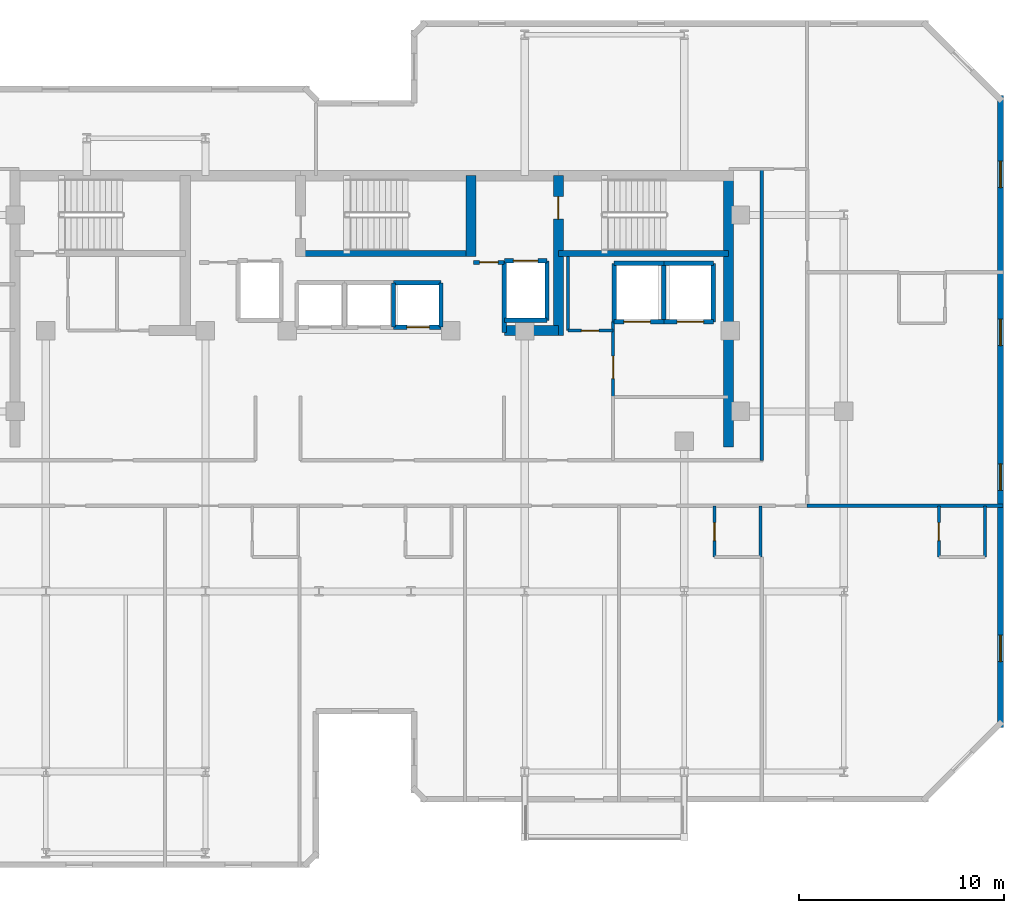
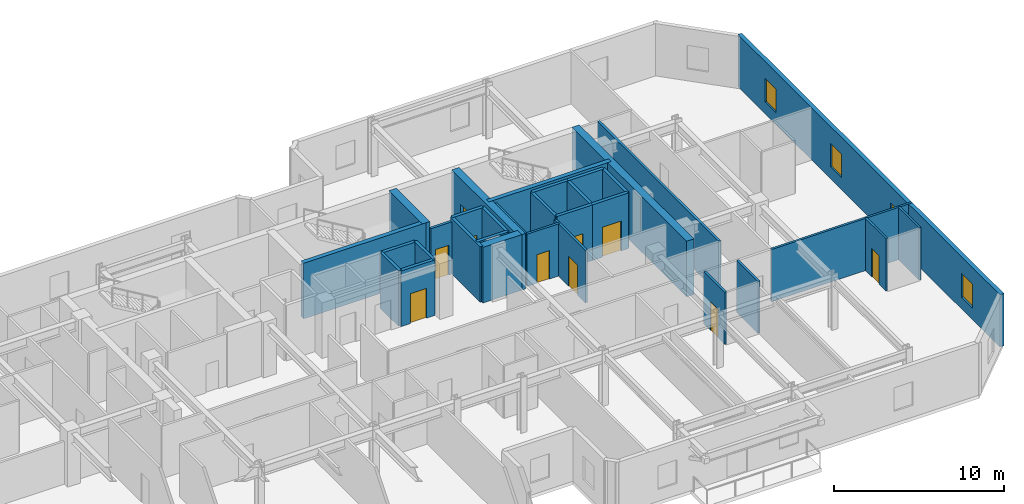
# One storey, part 6 of 11: 32 walls, 10 doors, 4 windows, 14 openings.
"""IFC4 building model written with IfcOpenShell, lengths in metres."""

from ifc_helpers import new_model, si_unit, direction, frame, frame_2d, origin, place, context, subcontext, project, spatial, rectangle, extrude, material, layer, layer_set, type_object, element, fill, save


model = new_model("IFC4")

# Units and contexts
model_context = context("Model", 3, precision=1e-05, world=origin(), true_north=direction((0.0, 1.0)))
body_context = subcontext(model_context, "Body", "Model", "MODEL_VIEW")
ifc_project = project(units=[si_unit("LENGTHUNIT", "METRE"), si_unit("AREAUNIT", "SQUARE_METRE"), si_unit("VOLUMEUNIT", "CUBIC_METRE"), si_unit("PLANEANGLEUNIT", "RADIAN"), si_unit("MASSUNIT", "GRAM", prefix="KILO")], contexts=[model_context])

# Site, building, storey
site_placement = place(None, origin())
site = spatial("IfcSite", under=ifc_project, at=site_placement, CompositionType="ELEMENT")
building_placement = place(site_placement, origin())
building = spatial("IfcBuilding", under=site, at=building_placement, Name="Kestravale Grand Hotel", CompositionType="ELEMENT")
storey_placement = place(building_placement, frame((0.0, 0.0, 265.39990234375)))
storey = spatial("IfcBuildingStorey", under=building, at=storey_placement, Name="L66", CompositionType="ELEMENT", Elevation=265.39990234375)

# Walls
ifc_material_1 = material(Name="Concrete f'c 50 MPa", Category="concrete")
ifc_layer_1 = layer(ifc_material_1, 0.5)
ifc_layer_set_1 = layer_set([ifc_layer_1], Name="EW-CORE-500")
wall_type_1 = type_object("IfcWallType", Name="EW-CORE-500", PredefinedType="SHEAR", material=ifc_layer_set_1)
wall_1_placement = place(storey_placement, frame((56.77001953125, 27.050048828125, 0.0), z_axis=(0.0, 0.0, 1.0), x_axis=(0.0, 1.0, 0.0)))
element("IfcWall", 1, at=wall_1_placement, inside=storey, type_object=wall_type_1, Name="L66 core shear wall E1", PredefinedType="SHEAR", context=body_context, shape_type="SweptSolid", body=[
    extrude(rectangle(XDim=13.52001953125, YDim=0.5, at=frame_2d((6.760009765625, 0.0))), origin(), (0.0, 0.0, 1.0), 4.0),
])
wall_2_placement = place(storey_placement, frame((45.81005859375, 32.75, 0.0), z_axis=(0.0, 0.0, 1.0), x_axis=(1.0, 0.0, 0.0)))
element("IfcWall", 2, at=wall_2_placement, inside=storey, type_object=wall_type_1, Name="L66 core shear wall S2", PredefinedType="SHEAR", context=body_context, shape_type="SweptSolid", body=[
    extrude(rectangle(XDim=2.639892578125, YDim=0.5, at=frame_2d((1.31982421875, 0.0))), origin(), (0.0, 0.0, 1.0), 4.0),
])
wall_3_placement = place(storey_placement, frame((44.179931640625, 36.3701171875, 0.0), z_axis=(0.0, 0.0, 1.0), x_axis=(0.0, 1.0, 0.0)))
element("IfcWall", 3, at=wall_3_placement, inside=storey, type_object=wall_type_1, Name="L66 core shear wall X3", PredefinedType="SHEAR", context=body_context, shape_type="SweptSolid", body=[
    extrude(rectangle(XDim=3.949951171875, YDim=0.5, at=frame_2d((1.97509765625, 0.0))), origin(), (0.0, 0.0, 1.0), 4.0),
])

# Wall, opening, door
wall_4_placement = place(storey_placement, frame((48.449951171875, 32.5, 0.0), z_axis=(0.0, 0.0, 1.0), x_axis=(0.0, 1.0, 0.0)))
wall_4 = element("IfcWall", 4, at=wall_4_placement, inside=storey, type_object=wall_type_1, Name="L66 core shear wall X4", PredefinedType="SHEAR", context=body_context, shape_type="SweptSolid", body=[
    extrude(rectangle(XDim=7.820068359375, YDim=0.5, at=frame_2d((3.91015625, 0.0))), origin(), (0.0, 0.0, 1.0), 4.0),
])
opening_1_placement = place(wall_4_placement, frame((5.699951171875, 0.0, 0.0)))
opening_1 = element("IfcOpeningElement", 5, at=opening_1_placement, cuts=wall_4, Name="Opening D-ST-1100", PredefinedType="OPENING", context=body_context, shape_type="SweptSolid", body=[
    extrude(rectangle(XDim=1.10009765625, YDim=2.14990234375, at=frame_2d((0.550048828125, 1.074951171875))), frame((0.0, 0.260009765625, 0.0), z_axis=(0.0, -1.0, 0.0), x_axis=(1.0, 0.0, 0.0)), (0.0, 0.0, 1.0), 0.52001953125),
])
ifc_material_2 = material(Name="Galvanised 90-minute fire-rated steel stair door", Category="steel")
door_type_1 = type_object("IfcDoorType", Name="D-ST-1100", OperationType="NOTDEFINED", PredefinedType="DOOR", material=ifc_material_2)
door_1_placement = place(opening_1_placement, origin())
door_1 = element("IfcDoor", 6, at=door_1_placement, inside=storey, type_object=door_type_1, Name="L66 Stair ST-3 FSAE fire door", OperationType="SINGLE_SWING_RIGHT", OverallHeight=2.14990234375, OverallWidth=1.10009765625, PredefinedType="DOOR", context=body_context, shape_type="SweptSolid", body=[
    extrude(rectangle(XDim=1.10009765625, YDim=2.14990234375, at=frame_2d((0.550048828125, 1.074951171875))), frame((0.0, 0.02490234375, 0.0), z_axis=(0.0, -1.0, 0.0), x_axis=(1.0, 0.0, 0.0)), (0.0, 0.0, 1.0), 0.050048828125),
])
fill(opening_1, door_1)

# Wall, openings, windows
ifc_material_3 = material(Name="Precast concrete f'c 45 MPa", Category="concrete")
ifc_layer_2 = layer(ifc_material_3, 0.280029296875)
ifc_layer_set_2 = layer_set([ifc_layer_2], Name="EW-PREC-280")
wall_type_2 = type_object("IfcWallType", Name="EW-PREC-280", PredefinedType="SOLIDWALL", material=ifc_layer_set_2)
wall_5_placement = place(storey_placement, frame((70.06005859375, 13.360107421875, 0.0), z_axis=(0.0, 0.0, 1.0), x_axis=(0.0, 1.0, 0.0)))
wall_5 = element("IfcWall", 7, at=wall_5_placement, inside=storey, type_object=wall_type_2, Name="L66 fluted precast facade wall 9", PredefinedType="SOLIDWALL", context=body_context, shape_type="SweptSolid", body=[
    extrude(rectangle(XDim=30.8798828125, YDim=0.280029296875, at=frame_2d((15.43994140625, 0.0))), origin(), (0.0, 0.0, 1.0), 3.760009765625),
])
opening_2_placement = place(wall_5_placement, frame((3.2099609375, 0.0, 0.85009765625)))
opening_2 = element("IfcOpeningElement", 8, at=opening_2_placement, cuts=wall_5, Name="Opening W-GUEST-1300", PredefinedType="OPENING", context=body_context, shape_type="SweptSolid", body=[
    extrude(rectangle(XDim=1.300048828125, YDim=1.699951171875, at=frame_2d((0.64990234375, 0.85009765625))), frame((0.0, 0.14990234375, 0.0), z_axis=(0.0, -1.0, 0.0), x_axis=(1.0, 0.0, 0.0)), (0.0, 0.0, 1.0), 0.300048828125),
])
opening_3_placement = place(wall_5_placement, frame((11.580078125, 0.0, 0.85009765625)))
opening_3 = element("IfcOpeningElement", 9, at=opening_3_placement, cuts=wall_5, Name="Opening W-GUEST-1300", PredefinedType="OPENING", context=body_context, shape_type="SweptSolid", body=[
    extrude(rectangle(XDim=1.300048828125, YDim=1.699951171875, at=frame_2d((0.64990234375, 0.85009765625))), frame((0.0, 0.14990234375, 0.0), z_axis=(0.0, -1.0, 0.0), x_axis=(1.0, 0.0, 0.0)), (0.0, 0.0, 1.0), 0.300048828125),
])
opening_4_placement = place(wall_5_placement, frame((18.64990234375, 0.0, 0.85009765625)))
opening_4 = element("IfcOpeningElement", 10, at=opening_4_placement, cuts=wall_5, Name="Opening W-GUEST-1300", PredefinedType="OPENING", context=body_context, shape_type="SweptSolid", body=[
    extrude(rectangle(XDim=1.300048828125, YDim=1.699951171875, at=frame_2d((0.64990234375, 0.85009765625))), frame((0.0, 0.14990234375, 0.0), z_axis=(0.0, -1.0, 0.0), x_axis=(1.0, 0.0, 0.0)), (0.0, 0.0, 1.0), 0.300048828125),
])
opening_5_placement = place(wall_5_placement, frame((26.3701171875, 0.0, 0.85009765625)))
opening_5 = element("IfcOpeningElement", 11, at=opening_5_placement, cuts=wall_5, Name="Opening W-GUEST-1300", PredefinedType="OPENING", context=body_context, shape_type="SweptSolid", body=[
    extrude(rectangle(XDim=1.300048828125, YDim=1.699951171875, at=frame_2d((0.64990234375, 0.85009765625))), frame((0.0, 0.14990234375, 0.0), z_axis=(0.0, -1.0, 0.0), x_axis=(1.0, 0.0, 0.0)), (0.0, 0.0, 1.0), 0.300048828125),
])
ifc_material_4 = material(Name="Insulated low-E double glazing in aluminium frame", Category="aluminium")
window_type = type_object("IfcWindowType", Name="W-GUEST-1300", PartitioningType="SINGLE_PANEL", PredefinedType="WINDOW", material=ifc_material_4)
window_1_placement = place(opening_2_placement, origin())
window_1 = element("IfcWindow", 12, at=window_1_placement, inside=storey, type_object=window_type, Name="L66 exterior window 9.1", OverallHeight=1.699951171875, OverallWidth=1.300048828125, PartitioningType="SINGLE_PANEL", PredefinedType="WINDOW", context=body_context, shape_type="SweptSolid", body=[
    extrude(rectangle(XDim=1.300048828125, YDim=1.699951171875, at=frame_2d((0.64990234375, 0.85009765625))), frame((0.0, 0.030029296875, 0.0), z_axis=(0.0, -1.0, 0.0), x_axis=(1.0, 0.0, 0.0)), (0.0, 0.0, 1.0), 0.06005859375),
])
fill(opening_2, window_1)
window_2_placement = place(opening_3_placement, origin())
window_2 = element("IfcWindow", 13, at=window_2_placement, inside=storey, type_object=window_type, Name="L66 exterior window 9.2", OverallHeight=1.699951171875, OverallWidth=1.300048828125, PartitioningType="SINGLE_PANEL", PredefinedType="WINDOW", context=body_context, shape_type="SweptSolid", body=[
    extrude(rectangle(XDim=1.300048828125, YDim=1.699951171875, at=frame_2d((0.64990234375, 0.85009765625))), frame((0.0, 0.030029296875, 0.0), z_axis=(0.0, -1.0, 0.0), x_axis=(1.0, 0.0, 0.0)), (0.0, 0.0, 1.0), 0.06005859375),
])
fill(opening_3, window_2)
window_3_placement = place(opening_4_placement, origin())
window_3 = element("IfcWindow", 14, at=window_3_placement, inside=storey, type_object=window_type, Name="L66 exterior window 9.3", OverallHeight=1.699951171875, OverallWidth=1.300048828125, PartitioningType="SINGLE_PANEL", PredefinedType="WINDOW", context=body_context, shape_type="SweptSolid", body=[
    extrude(rectangle(XDim=1.300048828125, YDim=1.699951171875, at=frame_2d((0.64990234375, 0.85009765625))), frame((0.0, 0.030029296875, 0.0), z_axis=(0.0, -1.0, 0.0), x_axis=(1.0, 0.0, 0.0)), (0.0, 0.0, 1.0), 0.06005859375),
])
fill(opening_4, window_3)
window_4_placement = place(opening_5_placement, origin())
window_4 = element("IfcWindow", 15, at=window_4_placement, inside=storey, type_object=window_type, Name="L66 exterior window 9.4", OverallHeight=1.699951171875, OverallWidth=1.300048828125, PartitioningType="SINGLE_PANEL", PredefinedType="WINDOW", context=body_context, shape_type="SweptSolid", body=[
    extrude(rectangle(XDim=1.300048828125, YDim=1.699951171875, at=frame_2d((0.64990234375, 0.85009765625))), frame((0.0, 0.030029296875, 0.0), z_axis=(0.0, -1.0, 0.0), x_axis=(1.0, 0.0, 0.0)), (0.0, 0.0, 1.0), 0.06005859375),
])
fill(opening_5, window_4)

# Walls
ifc_material_5 = material(Name="Concrete f'c 45 MPa", Category="concrete")
ifc_layer_3 = layer(ifc_material_5, 0.300048828125)
ifc_layer_set_3 = layer_set([ifc_layer_3], Name="EW-STAIR-300")
wall_type_3 = type_object("IfcWallType", Name="EW-STAIR-300", PredefinedType="SHEAR", material=ifc_layer_set_3)
wall_6_placement = place(storey_placement, frame((35.85009765625, 36.52001953125, 0.0), z_axis=(0.0, 0.0, 1.0), x_axis=(1.0, 0.0, 0.0)))
element("IfcWall", 16, at=wall_6_placement, inside=storey, type_object=wall_type_3, Name="L66 stair enclosure shear wall SST2", PredefinedType="SHEAR", context=body_context, shape_type="SweptSolid", body=[
    extrude(rectangle(XDim=8.329833984375, YDim=0.300048828125, at=frame_2d((4.1650390625, 0.0))), origin(), (0.0, 0.0, 1.0), 4.0),
])
wall_7_placement = place(storey_placement, frame((48.449951171875, 36.52001953125, 0.0), z_axis=(0.0, 0.0, 1.0), x_axis=(1.0, 0.0, 0.0)))
element("IfcWall", 17, at=wall_7_placement, inside=storey, type_object=wall_type_3, Name="L66 stair enclosure shear wall SST3", PredefinedType="SHEAR", context=body_context, shape_type="SweptSolid", body=[
    extrude(rectangle(XDim=8.320068359375, YDim=0.300048828125, at=frame_2d((4.16015625, 0.0))), origin(), (0.0, 0.0, 1.0), 4.0),
])

# Wall, opening, door
ifc_material_6 = material(Name="Acoustic fire-rated gypsum board partition", Category="other")
ifc_layer_4 = layer(ifc_material_6, 0.159912109375)
ifc_layer_set_4 = layer_set([ifc_layer_4], Name="IW-CORR-160")
wall_type_4 = type_object("IfcWallType", Name="IW-CORR-160", PredefinedType="PARTITIONING", material=ifc_layer_set_4)
wall_8_placement = place(storey_placement, frame((51.1201171875, 29.5, 0.0), z_axis=(0.0, 0.0, 1.0), x_axis=(0.0, 1.0, 0.0)))
wall_8 = element("IfcWall", 18, at=wall_8_placement, inside=storey, type_object=wall_type_4, Name="W-L66-SVCLOB-W", PredefinedType="PARTITIONING", context=body_context, shape_type="SweptSolid", body=[
    extrude(rectangle(XDim=3.699951171875, YDim=0.159912109375, at=frame_2d((1.85009765625, 0.0))), origin(), (0.0, 0.0, 1.0), 3.760009765625),
])
opening_6_placement = place(wall_8_placement, frame((0.89990234375, 0.0, 0.0)))
opening_6 = element("IfcOpeningElement", 19, at=opening_6_placement, cuts=wall_8, Name="Opening D-CORR-1100", PredefinedType="OPENING", context=body_context, shape_type="SweptSolid", body=[
    extrude(rectangle(XDim=1.10009765625, YDim=2.14990234375, at=frame_2d((0.550048828125, 1.074951171875))), frame((0.0, 0.08984375, 0.0), z_axis=(0.0, -1.0, 0.0), x_axis=(1.0, 0.0, 0.0)), (0.0, 0.0, 1.0), 0.179931640625),
])
ifc_material_7 = material(Name="Single-leaf service vestibule fire door", Category="steel")
door_type_2 = type_object("IfcDoorType", Name="D-CORR-1100", OperationType="NOTDEFINED", PredefinedType="DOOR", material=ifc_material_7)
door_2_placement = place(opening_6_placement, origin())
door_2 = element("IfcDoor", 20, at=door_2_placement, inside=storey, type_object=door_type_2, Name="L66 service lift lobby door", OperationType="SINGLE_SWING_LEFT", OverallHeight=2.14990234375, OverallWidth=1.10009765625, PredefinedType="DOOR", context=body_context, shape_type="SweptSolid", body=[
    extrude(rectangle(XDim=1.10009765625, YDim=2.14990234375, at=frame_2d((0.550048828125, 1.074951171875))), frame((0.0, 0.02490234375, 0.0), z_axis=(0.0, -1.0, 0.0), x_axis=(1.0, 0.0, 0.0)), (0.0, 0.0, 1.0), 0.050048828125),
])
fill(opening_6, door_2)

wall_9_placement = place(storey_placement, frame((48.919921875, 32.75, 0.0), z_axis=(0.0, 0.0, 1.0), x_axis=(1.0, 0.0, 0.0)))
wall_9 = element("IfcWall", 21, at=wall_9_placement, inside=storey, type_object=wall_type_4, Name="W-L66-CES", PredefinedType="PARTITIONING", context=body_context, shape_type="SweptSolid", body=[
    extrude(rectangle(XDim=2.2001953125, YDim=0.159912109375, at=frame_2d((1.10009765625, 0.0))), origin(), (0.0, 0.0, 1.0), 3.760009765625),
])
opening_7_placement = place(wall_9_placement, frame((0.64990234375, 0.0, 0.0)))
opening_7 = element("IfcOpeningElement", 22, at=opening_7_placement, cuts=wall_9, Name="Opening D-SH-860", PredefinedType="OPENING", context=body_context, shape_type="SweptSolid", body=[
    extrude(rectangle(XDim=0.860107421875, YDim=2.050048828125, at=frame_2d((0.43017578125, 1.02490234375))), frame((0.0, 0.08984375, 0.0), z_axis=(0.0, -1.0, 0.0), x_axis=(1.0, 0.0, 0.0)), (0.0, 0.0, 1.0), 0.179931640625),
])
ifc_material_8 = material(Name="Galvanised 90-minute riser fire door", Category="steel")
door_type_3 = type_object("IfcDoorType", Name="D-SH-860", OperationType="NOTDEFINED", PredefinedType="DOOR", material=ifc_material_8)
door_3_placement = place(opening_7_placement, origin())
door_3 = element("IfcDoor", 23, at=door_3_placement, inside=storey, type_object=door_type_3, Name="L66 CSTO1 door", OperationType="SINGLE_SWING_RIGHT", OverallHeight=2.050048828125, OverallWidth=0.860107421875, PredefinedType="DOOR", context=body_context, shape_type="SweptSolid", body=[
    extrude(rectangle(XDim=0.860107421875, YDim=2.050048828125, at=frame_2d((0.43017578125, 1.02490234375))), frame((0.0, 0.02490234375, 0.0), z_axis=(0.0, -1.0, 0.0), x_axis=(1.0, 0.0, 0.0)), (0.0, 0.0, 1.0), 0.050048828125),
])
fill(opening_7, door_3)

# Wall
wall_10_placement = place(storey_placement, frame((58.389892578125, 26.409912109375, 0.0), z_axis=(0.0, 0.0, 1.0), x_axis=(0.0, 1.0, 0.0)))
element("IfcWall", 24, at=wall_10_placement, inside=storey, type_object=wall_type_4, Name="W-L66-SE-WU", PredefinedType="PARTITIONING", context=body_context, shape_type="SweptSolid", body=[
    extrude(rectangle(XDim=14.239990234375, YDim=0.159912109375, at=frame_2d((7.1201171875, 0.0))), origin(), (0.0, 0.0, 1.0), 3.760009765625),
])

# Wall, opening, door
ifc_material_9 = material(Name="Fire-rated gypsum board on steel studs with mineral wool", Category="steel")
ifc_layer_5 = layer(ifc_material_9, 0.179931640625)
ifc_layer_set_5 = layer_set([ifc_layer_5], Name="IW-FSAE-180")
wall_type_5 = type_object("IfcWallType", Name="IW-FSAE-180", PredefinedType="PARTITIONING", material=ifc_layer_set_5)
wall_11_placement = place(storey_placement, frame((44.300048828125, 36.080078125, 0.0), z_axis=(0.0, 0.0, 1.0), x_axis=(1.0, 0.0, 0.0)))
wall_11 = element("IfcWall", 25, at=wall_11_placement, inside=storey, type_object=wall_type_5, Name="L66 FSAE Lobby 2 smoke barrier", PredefinedType="PARTITIONING", context=body_context, shape_type="SweptSolid", body=[
    extrude(rectangle(XDim=1.5, YDim=0.179931640625, at=frame_2d((0.75, 0.0))), origin(), (0.0, 0.0, 1.0), 3.760009765625),
])
opening_8_placement = place(wall_11_placement, frame((0.300048828125, 0.0, 0.0)))
opening_8 = element("IfcOpeningElement", 26, at=opening_8_placement, cuts=wall_11, Name="Opening D-FSAE-1000", PredefinedType="OPENING", context=body_context, shape_type="SweptSolid", body=[
    extrude(rectangle(XDim=0.89990234375, YDim=2.14990234375, at=frame_2d((0.449951171875, 1.074951171875))), frame((0.0, 0.099853515625, 0.0), z_axis=(0.0, -1.0, 0.0), x_axis=(1.0, 0.0, 0.0)), (0.0, 0.0, 1.0), 0.199951171875),
])
ifc_material_10 = material(Name="Smoke-gasketed FSAE lobby fire door", Category="steel")
door_type_4 = type_object("IfcDoorType", Name="D-FSAE-1000", OperationType="NOTDEFINED", PredefinedType="DOOR", material=ifc_material_10)
door_4_placement = place(opening_8_placement, origin())
door_4 = element("IfcDoor", 27, at=door_4_placement, inside=storey, type_object=door_type_4, Name="L66 FSAE Lobby 2 fire door", OperationType="SINGLE_SWING_LEFT", OverallHeight=2.14990234375, OverallWidth=0.89990234375, PredefinedType="DOOR", context=body_context, shape_type="SweptSolid", body=[
    extrude(rectangle(XDim=0.89990234375, YDim=2.14990234375, at=frame_2d((0.449951171875, 1.074951171875))), frame((0.0, 0.02490234375, 0.0), z_axis=(0.0, -1.0, 0.0), x_axis=(1.0, 0.0, 0.0)), (0.0, 0.0, 1.0), 0.050048828125),
])
fill(opening_8, door_4)

ifc_material_11 = material(Name="Moisture-resistant tile-backer plumbing chase wall", Category="other")
ifc_layer_6 = layer(ifc_material_11, 0.139892578125)
ifc_layer_set_6 = layer_set([ifc_layer_6], Name="IW-PLB-140")
wall_type_6 = type_object("IfcWallType", Name="IW-PLB-140", PredefinedType="PLUMBINGWALL", material=ifc_layer_set_6)
wall_12_placement = place(storey_placement, frame((56.080078125, 21.679931640625, 0.0), z_axis=(0.0, 0.0, 1.0), x_axis=(0.0, 1.0, 0.0)))
wall_12 = element("IfcWall", 28, at=wall_12_placement, inside=storey, type_object=wall_type_6, Name="W-L66-U03-BW", PredefinedType="PLUMBINGWALL", context=body_context, shape_type="SweptSolid", body=[
    extrude(rectangle(XDim=2.489990234375, YDim=0.139892578125, at=frame_2d((1.2451171875, 0.0))), origin(), (0.0, 0.0, 1.0), 3.760009765625),
])
opening_9_placement = place(wall_12_placement, frame((0.804931640625, 0.0, 0.0)))
opening_9 = element("IfcOpeningElement", 29, at=opening_9_placement, cuts=wall_12, Name="Opening D-BATH-880", PredefinedType="OPENING", context=body_context, shape_type="SweptSolid", body=[
    extrude(rectangle(XDim=0.8798828125, YDim=2.050048828125, at=frame_2d((0.43994140625, 1.02490234375))), frame((0.0, 0.079833984375, 0.0), z_axis=(0.0, -1.0, 0.0), x_axis=(1.0, 0.0, 0.0)), (0.0, 0.0, 1.0), 0.159912109375),
])
ifc_material_12 = material(Name="Moisture-sealed walnut en-suite bathroom door", Category="wood")
door_type_5 = type_object("IfcDoorType", Name="D-BATH-880", OperationType="NOTDEFINED", PredefinedType="DOOR", material=ifc_material_12)
door_5_placement = place(opening_9_placement, origin())
door_5 = element("IfcDoor", 30, at=door_5_placement, inside=storey, type_object=door_type_5, Name="D-L66-U03-BATH", OperationType="SINGLE_SWING_RIGHT", OverallHeight=2.050048828125, OverallWidth=0.8798828125, PredefinedType="DOOR", context=body_context, shape_type="SweptSolid", body=[
    extrude(rectangle(XDim=0.8798828125, YDim=2.050048828125, at=frame_2d((0.43994140625, 1.02490234375))), frame((0.0, 0.02490234375, 0.0), z_axis=(0.0, -1.0, 0.0), x_axis=(1.0, 0.0, 0.0)), (0.0, 0.0, 1.0), 0.050048828125),
])
fill(opening_9, door_5)

# Wall
wall_13_placement = place(storey_placement, frame((58.330078125, 21.679931640625, 0.0), z_axis=(0.0, 0.0, 1.0), x_axis=(0.0, 1.0, 0.0)))
element("IfcWall", 31, at=wall_13_placement, inside=storey, type_object=wall_type_6, Name="W-L66-U03-BE", PredefinedType="PLUMBINGWALL", context=body_context, shape_type="SweptSolid", body=[
    extrude(rectangle(XDim=2.489990234375, YDim=0.139892578125, at=frame_2d((1.2451171875, 0.0))), origin(), (0.0, 0.0, 1.0), 3.760009765625),
])

# Wall, opening, door
wall_14_placement = place(storey_placement, frame((67.050048828125, 21.679931640625, 0.0), z_axis=(0.0, 0.0, 1.0), x_axis=(0.0, 1.0, 0.0)))
wall_14 = element("IfcWall", 32, at=wall_14_placement, inside=storey, type_object=wall_type_6, Name="W-L66-U07-BW", PredefinedType="PLUMBINGWALL", context=body_context, shape_type="SweptSolid", body=[
    extrude(rectangle(XDim=2.489990234375, YDim=0.139892578125, at=frame_2d((1.2451171875, 0.0))), origin(), (0.0, 0.0, 1.0), 3.760009765625),
])
opening_10_placement = place(wall_14_placement, frame((0.804931640625, 0.0, 0.0)))
opening_10 = element("IfcOpeningElement", 33, at=opening_10_placement, cuts=wall_14, Name="Opening D-BATH-880", PredefinedType="OPENING", context=body_context, shape_type="SweptSolid", body=[
    extrude(rectangle(XDim=0.8798828125, YDim=2.050048828125, at=frame_2d((0.43994140625, 1.02490234375))), frame((0.0, 0.079833984375, 0.0), z_axis=(0.0, -1.0, 0.0), x_axis=(1.0, 0.0, 0.0)), (0.0, 0.0, 1.0), 0.159912109375),
])
door_6_placement = place(opening_10_placement, origin())
door_6 = element("IfcDoor", 34, at=door_6_placement, inside=storey, type_object=door_type_5, Name="D-L66-U07-BATH", OperationType="SINGLE_SWING_LEFT", OverallHeight=2.050048828125, OverallWidth=0.8798828125, PredefinedType="DOOR", context=body_context, shape_type="SweptSolid", body=[
    extrude(rectangle(XDim=0.8798828125, YDim=2.050048828125, at=frame_2d((0.43994140625, 1.02490234375))), frame((0.0, 0.02490234375, 0.0), z_axis=(0.0, -1.0, 0.0), x_axis=(1.0, 0.0, 0.0)), (0.0, 0.0, 1.0), 0.050048828125),
])
fill(opening_10, door_6)

# Walls
wall_15_placement = place(storey_placement, frame((69.300048828125, 21.679931640625, 0.0), z_axis=(0.0, 0.0, 1.0), x_axis=(0.0, 1.0, 0.0)))
element("IfcWall", 35, at=wall_15_placement, inside=storey, type_object=wall_type_6, Name="W-L66-U07-BE", PredefinedType="PLUMBINGWALL", context=body_context, shape_type="SweptSolid", body=[
    extrude(rectangle(XDim=2.489990234375, YDim=0.139892578125, at=frame_2d((1.2451171875, 0.0))), origin(), (0.0, 0.0, 1.0), 3.760009765625),
])
ifc_material_13 = material(Name="Concrete f'c 45 MPa", Category="concrete")
ifc_layer_7 = layer(ifc_material_13, 0.199951171875)
ifc_layer_set_7 = layer_set([ifc_layer_7], Name="IW-SHAFT-200")
wall_type_7 = type_object("IfcWallType", Name="IW-SHAFT-200", PredefinedType="SHEAR", material=ifc_layer_set_7)
for number, where, z_axis, x_axis, name in (
    (36, (40.39990234375, 32.919921875, 0.0), (0.0, 0.0, 1.0), (0.0, 1.0, 0.0), "L66 PL-X3 west shaft wall"),
    (37, (42.719970703125, 32.919921875, 0.0), (0.0, 0.0, 1.0), (0.0, 1.0, 0.0), "L66 PL-X3 east shaft wall"),
):
    element("IfcWall", number, at=place(storey_placement, frame(where, z_axis=z_axis, x_axis=x_axis)), inside=storey, type_object=wall_type_7, Name=name, PredefinedType="SHEAR", context=body_context, shape_type="SweptSolid", body=[
        extrude(rectangle(XDim=2.16015625, YDim=0.199951171875, at=frame_2d((1.080078125, 0.0))), origin(), (0.0, 0.0, 1.0), 4.0),
    ])
for number, where, z_axis, x_axis, name in (
    (38, (51.179931640625, 33.169921875, 0.0), (0.0, 0.0, 1.0), (0.0, 1.0, 0.0), "L66 SL-1 west shaft wall"),
    (39, (53.60009765625, 33.169921875, 0.0), (0.0, 0.0, 1.0), (0.0, 1.0, 0.0), "L66 SL-2 west shaft wall"),
    (40, (56.02001953125, 33.169921875, 0.0), (0.0, 0.0, 1.0), (0.0, 1.0, 0.0), "L66 SL-2 east shaft wall"),
):
    element("IfcWall", number, at=place(storey_placement, frame(where, z_axis=z_axis, x_axis=x_axis)), inside=storey, type_object=wall_type_7, Name=name, PredefinedType="SHEAR", context=body_context, shape_type="SweptSolid", body=[
        extrude(rectangle(XDim=2.860107421875, YDim=0.199951171875, at=frame_2d((1.43017578125, 0.0))), origin(), (0.0, 0.0, 1.0), 4.0),
    ])
wall_16_placement = place(storey_placement, frame((45.804931640625, 32.64990234375, 0.0), z_axis=(0.0, 0.0, 1.0), x_axis=(0.0, 1.0, 0.0)))
element("IfcWall", 41, at=wall_16_placement, inside=storey, type_object=wall_type_7, Name="L66 FL-2 west shaft wall", PredefinedType="SHEAR", context=body_context, shape_type="SweptSolid", body=[
    extrude(rectangle(XDim=3.505126953125, YDim=0.199951171875, at=frame_2d((1.75244140625, 0.0))), origin(), (0.0, 0.0, 1.0), 4.0),
])
wall_17_placement = place(storey_placement, frame((47.89501953125, 33.2451171875, 0.0), z_axis=(0.0, 0.0, 1.0), x_axis=(0.0, 1.0, 0.0)))
element("IfcWall", 42, at=wall_17_placement, inside=storey, type_object=wall_type_7, Name="L66 FL-2 east shaft wall", PredefinedType="SHEAR", context=body_context, shape_type="SweptSolid", body=[
    extrude(rectangle(XDim=2.909912109375, YDim=0.199951171875, at=frame_2d((1.455078125, 0.0))), origin(), (0.0, 0.0, 1.0), 4.0),
])
ifc_material_14 = material(Name="Concrete f'c 45 MPa", Category="concrete")
ifc_layer_8 = layer(ifc_material_14, 0.219970703125)
ifc_layer_set_8 = layer_set([ifc_layer_8], Name="IW-SHAFT-220")
wall_type_8 = type_object("IfcWallType", Name="IW-SHAFT-220", PredefinedType="SHEAR", material=ifc_layer_set_8)
wall_18_placement = place(storey_placement, frame((40.39990234375, 35.080078125, 0.0), z_axis=(0.0, 0.0, 1.0), x_axis=(1.0, 0.0, 0.0)))
element("IfcWall", 43, at=wall_18_placement, inside=storey, type_object=wall_type_8, Name="L66 PL-X3 north shaft wall", PredefinedType="SHEAR", context=body_context, shape_type="SweptSolid", body=[
    extrude(rectangle(XDim=2.320068359375, YDim=0.219970703125, at=frame_2d((1.16015625, 0.0))), origin(), (0.0, 0.0, 1.0), 4.0),
])

# Wall, opening, door
wall_19_placement = place(storey_placement, frame((40.39990234375, 32.919921875, 0.0), z_axis=(0.0, 0.0, 1.0), x_axis=(1.0, 0.0, 0.0)))
wall_19 = element("IfcWall", 44, at=wall_19_placement, inside=storey, type_object=wall_type_8, Name="L66 PL-X3 south shaft wall", PredefinedType="SHEAR", context=body_context, shape_type="SweptSolid", body=[
    extrude(rectangle(XDim=2.320068359375, YDim=0.219970703125, at=frame_2d((1.16015625, 0.0))), origin(), (0.0, 0.0, 1.0), 4.0),
])
opening_11_placement = place(wall_19_placement, frame((0.64990234375, 0.0, 0.0)))
opening_11 = element("IfcOpeningElement", 45, at=opening_11_placement, cuts=wall_19, Name="Opening LD-PAX-1100", PredefinedType="OPENING", context=body_context, shape_type="SweptSolid", body=[
    extrude(rectangle(XDim=1.10009765625, YDim=2.14990234375, at=frame_2d((0.550048828125, 1.074951171875))), frame((0.0, 0.119873046875, 0.0), z_axis=(0.0, -1.0, 0.0), x_axis=(1.0, 0.0, 0.0)), (0.0, 0.0, 1.0), 0.239990234375),
])
ifc_material_15 = material(Name="Champagne-bronze center-opening sliding elevator landing door", Category="steel")
door_type_6 = type_object("IfcDoorType", Name="LD-PAX-1100", OperationType="NOTDEFINED", PredefinedType="DOOR", material=ifc_material_15)
door_7_placement = place(opening_11_placement, origin())
door_7 = element("IfcDoor", 46, at=door_7_placement, inside=storey, type_object=door_type_6, Name="L66 PL-X3 elevator landing sliding door", OperationType="DOUBLE_DOOR_SLIDING", OverallHeight=2.14990234375, OverallWidth=1.10009765625, PredefinedType="DOOR", context=body_context, shape_type="SweptSolid", body=[
    extrude(rectangle(XDim=1.10009765625, YDim=2.14990234375, at=frame_2d((0.550048828125, 1.074951171875))), frame((0.0, 0.02490234375, 0.0), z_axis=(0.0, -1.0, 0.0), x_axis=(1.0, 0.0, 0.0)), (0.0, 0.0, 1.0), 0.050048828125),
])
fill(opening_11, door_7)

# Wall
wall_20_placement = place(storey_placement, frame((51.179931640625, 36.030029296875, 0.0), z_axis=(0.0, 0.0, 1.0), x_axis=(1.0, 0.0, 0.0)))
element("IfcWall", 47, at=wall_20_placement, inside=storey, type_object=wall_type_8, Name="L66 SL-1 north shaft wall", PredefinedType="SHEAR", context=body_context, shape_type="SweptSolid", body=[
    extrude(rectangle(XDim=2.420166015625, YDim=0.219970703125, at=frame_2d((1.2099609375, 0.0))), origin(), (0.0, 0.0, 1.0), 4.0),
])

# Wall, opening, door
wall_21_placement = place(storey_placement, frame((51.179931640625, 33.169921875, 0.0), z_axis=(0.0, 0.0, 1.0), x_axis=(1.0, 0.0, 0.0)))
wall_21 = element("IfcWall", 48, at=wall_21_placement, inside=storey, type_object=wall_type_8, Name="L66 SL-1 south shaft wall", PredefinedType="SHEAR", context=body_context, shape_type="SweptSolid", body=[
    extrude(rectangle(XDim=2.420166015625, YDim=0.219970703125, at=frame_2d((1.2099609375, 0.0))), origin(), (0.0, 0.0, 1.0), 4.0),
])
opening_12_placement = place(wall_21_placement, frame((0.469970703125, 0.0, 0.0)))
opening_12 = element("IfcOpeningElement", 49, at=opening_12_placement, cuts=wall_21, Name="Opening LD-SVC-1300", PredefinedType="OPENING", context=body_context, shape_type="SweptSolid", body=[
    extrude(rectangle(XDim=1.300048828125, YDim=2.14990234375, at=frame_2d((0.64990234375, 1.074951171875))), frame((0.0, 0.119873046875, 0.0), z_axis=(0.0, -1.0, 0.0), x_axis=(1.0, 0.0, 0.0)), (0.0, 0.0, 1.0), 0.239990234375),
])
ifc_material_16 = material(Name="Heavy-duty service sliding elevator landing door", Category="steel")
door_type_7 = type_object("IfcDoorType", Name="LD-SVC-1300", OperationType="NOTDEFINED", PredefinedType="DOOR", material=ifc_material_16)
door_8_placement = place(opening_12_placement, origin())
door_8 = element("IfcDoor", 50, at=door_8_placement, inside=storey, type_object=door_type_7, Name="L66 SL-1 elevator landing sliding door", OperationType="DOUBLE_DOOR_SLIDING", OverallHeight=2.14990234375, OverallWidth=1.300048828125, PredefinedType="DOOR", context=body_context, shape_type="SweptSolid", body=[
    extrude(rectangle(XDim=1.300048828125, YDim=2.14990234375, at=frame_2d((0.64990234375, 1.074951171875))), frame((0.0, 0.02490234375, 0.0), z_axis=(0.0, -1.0, 0.0), x_axis=(1.0, 0.0, 0.0)), (0.0, 0.0, 1.0), 0.050048828125),
])
fill(opening_12, door_8)

# Wall
wall_22_placement = place(storey_placement, frame((53.60009765625, 36.030029296875, 0.0), z_axis=(0.0, 0.0, 1.0), x_axis=(1.0, 0.0, 0.0)))
element("IfcWall", 51, at=wall_22_placement, inside=storey, type_object=wall_type_8, Name="L66 SL-2 north shaft wall", PredefinedType="SHEAR", context=body_context, shape_type="SweptSolid", body=[
    extrude(rectangle(XDim=2.419921875, YDim=0.219970703125, at=frame_2d((1.2099609375, 0.0))), origin(), (0.0, 0.0, 1.0), 4.0),
])

# Wall, opening, door
wall_23_placement = place(storey_placement, frame((53.60009765625, 33.169921875, 0.0), z_axis=(0.0, 0.0, 1.0), x_axis=(1.0, 0.0, 0.0)))
wall_23 = element("IfcWall", 52, at=wall_23_placement, inside=storey, type_object=wall_type_8, Name="L66 SL-2 south shaft wall", PredefinedType="SHEAR", context=body_context, shape_type="SweptSolid", body=[
    extrude(rectangle(XDim=2.419921875, YDim=0.219970703125, at=frame_2d((1.2099609375, 0.0))), origin(), (0.0, 0.0, 1.0), 4.0),
])
opening_13_placement = place(wall_23_placement, frame((0.64990234375, 0.0, 0.0)))
opening_13 = element("IfcOpeningElement", 53, at=opening_13_placement, cuts=wall_23, Name="Opening LD-SVC-1300", PredefinedType="OPENING", context=body_context, shape_type="SweptSolid", body=[
    extrude(rectangle(XDim=1.300048828125, YDim=2.14990234375, at=frame_2d((0.64990234375, 1.074951171875))), frame((0.0, 0.119873046875, 0.0), z_axis=(0.0, -1.0, 0.0), x_axis=(1.0, 0.0, 0.0)), (0.0, 0.0, 1.0), 0.239990234375),
])
door_9_placement = place(opening_13_placement, origin())
door_9 = element("IfcDoor", 54, at=door_9_placement, inside=storey, type_object=door_type_7, Name="L66 SL-2 elevator landing sliding door", OperationType="DOUBLE_DOOR_SLIDING", OverallHeight=2.14990234375, OverallWidth=1.300048828125, PredefinedType="DOOR", context=body_context, shape_type="SweptSolid", body=[
    extrude(rectangle(XDim=1.300048828125, YDim=2.14990234375, at=frame_2d((0.64990234375, 1.074951171875))), frame((0.0, 0.02490234375, 0.0), z_axis=(0.0, -1.0, 0.0), x_axis=(1.0, 0.0, 0.0)), (0.0, 0.0, 1.0), 0.050048828125),
])
fill(opening_13, door_9)

wall_24_placement = place(storey_placement, frame((45.804931640625, 36.155029296875, 0.0), z_axis=(0.0, 0.0, 1.0), x_axis=(1.0, 0.0, 0.0)))
wall_24 = element("IfcWall", 55, at=wall_24_placement, inside=storey, type_object=wall_type_8, Name="L66 FL-2 north shaft wall", PredefinedType="SHEAR", context=body_context, shape_type="SweptSolid", body=[
    extrude(rectangle(XDim=2.090087890625, YDim=0.219970703125, at=frame_2d((1.044921875, 0.0))), origin(), (0.0, 0.0, 1.0), 4.0),
])
opening_14_placement = place(wall_24_placement, frame((0.445068359375, 0.0, 0.0)))
opening_14 = element("IfcOpeningElement", 56, at=opening_14_placement, cuts=wall_24, Name="Opening LD-FSAE-1200", PredefinedType="OPENING", context=body_context, shape_type="SweptSolid", body=[
    extrude(rectangle(XDim=1.199951171875, YDim=2.14990234375, at=frame_2d((0.60009765625, 1.074951171875))), frame((0.0, 0.119873046875, 0.0), z_axis=(0.0, -1.0, 0.0), x_axis=(1.0, 0.0, 0.0)), (0.0, 0.0, 1.0), 0.239990234375),
])
ifc_material_17 = material(Name="Stainless fire-service sliding elevator landing door", Category="steel")
door_type_8 = type_object("IfcDoorType", Name="LD-FSAE-1200", OperationType="NOTDEFINED", PredefinedType="DOOR", material=ifc_material_17)
door_10_placement = place(opening_14_placement, origin())
door_10 = element("IfcDoor", 57, at=door_10_placement, inside=storey, type_object=door_type_8, Name="L66 FL-2 elevator landing sliding door", OperationType="DOUBLE_DOOR_SLIDING", OverallHeight=2.14990234375, OverallWidth=1.199951171875, PredefinedType="DOOR", context=body_context, shape_type="SweptSolid", body=[
    extrude(rectangle(XDim=1.199951171875, YDim=2.14990234375, at=frame_2d((0.60009765625, 1.074951171875))), frame((0.0, 0.02490234375, 0.0), z_axis=(0.0, -1.0, 0.0), x_axis=(1.0, 0.0, 0.0)), (0.0, 0.0, 1.0), 0.050048828125),
])
fill(opening_14, door_10)

# Walls
wall_25_placement = place(storey_placement, frame((45.804931640625, 33.2451171875, 0.0), z_axis=(0.0, 0.0, 1.0), x_axis=(1.0, 0.0, 0.0)))
element("IfcWall", 58, at=wall_25_placement, inside=storey, type_object=wall_type_8, Name="L66 FL-2 south shaft wall", PredefinedType="SHEAR", context=body_context, shape_type="SweptSolid", body=[
    extrude(rectangle(XDim=2.090087890625, YDim=0.219970703125, at=frame_2d((1.044921875, 0.0))), origin(), (0.0, 0.0, 1.0), 4.0),
])
ifc_material_18 = material(Name="Double-stud STC 52 acoustic demising partition", Category="other")
ifc_layer_9 = layer(ifc_material_18, 0.14990234375)
ifc_layer_set_9 = layer_set([ifc_layer_9], Name="IW-UNIT-150")
wall_type_9 = type_object("IfcWallType", Name="IW-UNIT-150", PredefinedType="PARTITIONING", material=ifc_layer_set_9)
wall_26_placement = place(storey_placement, frame((48.919921875, 32.75, 0.0), z_axis=(0.0, 0.0, 1.0), x_axis=(0.0, 1.0, 0.0)))
element("IfcWall", 59, at=wall_26_placement, inside=storey, type_object=wall_type_9, Name="W-L66-CEW", PredefinedType="PARTITIONING", context=body_context, shape_type="SweptSolid", body=[
    extrude(rectangle(XDim=3.6201171875, YDim=0.14990234375, at=frame_2d((1.81005859375, 0.0))), origin(), (0.0, 0.0, 1.0), 3.760009765625),
])
wall_27_placement = place(storey_placement, frame((60.610107421875, 24.18994140625, 0.0), z_axis=(0.0, 0.0, 1.0), x_axis=(1.0, 0.0, 0.0)))
element("IfcWall", 60, at=wall_27_placement, inside=storey, type_object=wall_type_9, Name="W-L66-SEC-N", PredefinedType="PARTITIONING", context=body_context, shape_type="SweptSolid", body=[
    extrude(rectangle(XDim=9.56982421875, YDim=0.14990234375, at=frame_2d((4.784912109375, 0.0))), origin(), (0.0, 0.0, 1.0), 3.760009765625),
])

save(model, "model.ifc")
